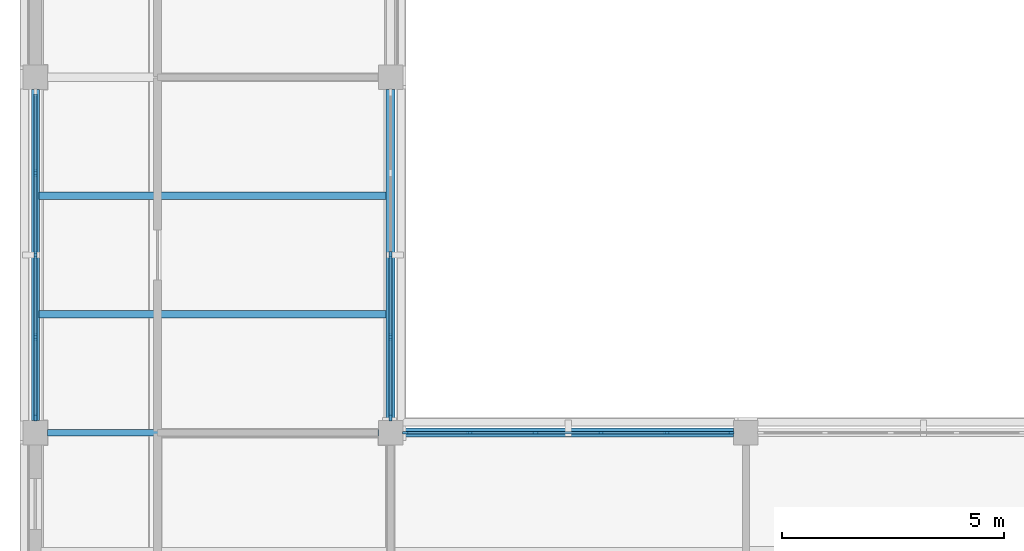
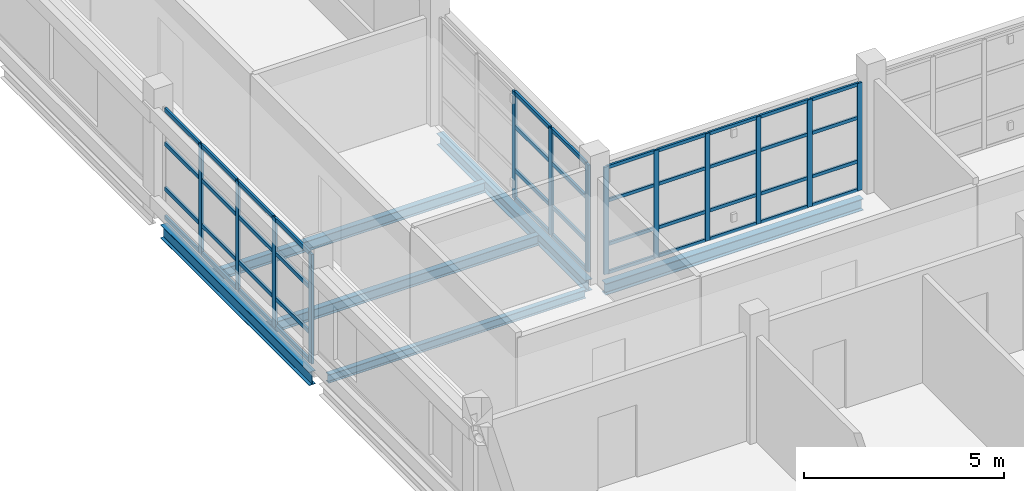
# One storey, part 7 of 92: 57 members, 6 beams, 3 elements without a shape of their own.
"""IFC4 building model written with IfcOpenShell, lengths in metres."""

from ifc_helpers import new_model, si_unit, derived_unit, direction, frame, origin, origin_2d, place, context, subcontext, project, spatial, rectangle, i_section, extrude, material, layer, layer_set, material_profile, profile_set, type_object, element, aggregate, save


model = new_model("IFC4")

# Units and contexts
model_context = context("Model", 3, precision=1e-05, world=origin(), true_north=direction((0.0, 1.0)))
body_context = subcontext(model_context, "Body", "Model", "MODEL_VIEW")
ifc_project = project(units=[si_unit("LENGTHUNIT", "METRE"), si_unit("AREAUNIT", "SQUARE_METRE"), si_unit("VOLUMEUNIT", "CUBIC_METRE"), si_unit("PLANEANGLEUNIT", "RADIAN"), si_unit("MASSUNIT", "GRAM", prefix="KILO"), derived_unit("THERMALTRANSMITTANCEUNIT", [(si_unit("MASSUNIT", "GRAM", prefix="KILO"), 1), (si_unit("TIMEUNIT", "SECOND"), -3), (si_unit("THERMODYNAMICTEMPERATUREUNIT", "KELVIN"), -1)])], contexts=[model_context])

# Site, building, storey
site_placement = place(None, origin())
site = spatial("IfcSite", under=ifc_project, at=site_placement, CompositionType="ELEMENT")
building_placement = place(site_placement, origin())
building = spatial("IfcBuilding", under=site, at=building_placement, Name="Veyamyaing Civic Hall", CompositionType="ELEMENT")
storey_placement = place(building_placement, frame((0.0, 0.0, 17.820068359375)))
storey = spatial("IfcBuildingStorey", under=building, at=storey_placement, Name="L04", CompositionType="ELEMENT", Elevation=17.820068359375)

# Beams
ifc_material_1 = material(Name="Steel ASTM A992", Category="steel")
ifc_material_profile_1 = material_profile(ifc_material_1, i_section(OverallWidth=0.179931640625, OverallDepth=0.4130859375, WebThickness=0.009765625, FlangeThickness=0.01611328125, FilletRadius=0.010009765625, at=origin_2d()), Name="W410X74")
ifc_profile_set_1 = profile_set([ifc_material_profile_1], Name="Steel ASTM A992")
beam_type_1 = type_object("IfcBeamType", Name="B-10", PredefinedType="SPANDREL", material=ifc_profile_set_1)
beam_1_placement = place(storey_placement, frame((0.0, 56.27490234375, -0.441650390625), z_axis=(0.0, 1.0, 0.0), x_axis=(-1.0, 0.0, 0.0)))
element("IfcBeam", 1, at=beam_1_placement, inside=storey, type_object=beam_type_1, Name="Girder B-10 L04 Grid 1 H-J", PredefinedType="SPANDREL", context=body_context, shape_type="SweptSolid", body=[
    extrude(i_section(OverallWidth=0.179931640625, OverallDepth=0.4130859375, WebThickness=0.009765625, FlangeThickness=0.01611328125, FilletRadius=0.010009765625, at=origin_2d()), origin(), (0.0, 0.0, 1.0), 7.4501953125),
])
ifc_material_profile_2 = material_profile(ifc_material_1, i_section(OverallWidth=0.2041015625, OverallDepth=0.35009765625, WebThickness=0.0078125, FlangeThickness=0.01513671875, FilletRadius=0.010009765625, at=origin_2d()), Name="W360X72")
ifc_profile_set_2 = profile_set([ifc_material_profile_2], Name="Steel ASTM A992")
beam_type_2 = type_object("IfcBeamType", Name="B-11", PredefinedType="SPANDREL", material=ifc_profile_set_2)
for number, where, z_axis, x_axis, name in (
    (2, (8.27490234375, 56.0, -0.41015625), (1.0, 0.0, 0.0), (0.0, 1.0, 0.0), "Girder B-11 L04 Grid H 2-3"),
    (3, (8.0, 56.27490234375, -0.41015625), (0.0, 1.0, 0.0), (-1.0, 0.0, 0.0), "Girder B-11 L04 Grid 2 H-J"),
):
    element("IfcBeam", number, at=place(storey_placement, frame(where, z_axis=z_axis, x_axis=x_axis)), inside=storey, type_object=beam_type_2, Name=name, PredefinedType="SPANDREL", context=body_context, shape_type="SweptSolid", body=[
        extrude(i_section(OverallWidth=0.2041015625, OverallDepth=0.35009765625, WebThickness=0.0078125, FlangeThickness=0.01513671875, FilletRadius=0.010009765625, at=origin_2d()), origin(), (0.0, 0.0, 1.0), 7.4501953125),
    ])
ifc_material_profile_3 = material_profile(ifc_material_1, i_section(OverallWidth=0.14599609375, OverallDepth=0.258056640625, WebThickness=0.006103515625, FlangeThickness=0.009033203125, FilletRadius=0.010009765625, at=origin_2d()), Name="W250X33")
ifc_profile_set_3 = profile_set([ifc_material_profile_3], Name="Steel ASTM A992")
beam_type_3 = type_object("IfcBeamType", Name="B-12", PredefinedType="BEAM", material=ifc_profile_set_3)
beam_2_placement = place(storey_placement, frame((0.27490234375, 56.0, -0.364013671875), z_axis=(1.0, 0.0, 0.0), x_axis=(0.0, 1.0, 0.0)))
element("IfcBeam", 4, at=beam_2_placement, inside=storey, type_object=beam_type_3, Name="Girder B-12 L04 Grid H 1-2", PredefinedType="BEAM", context=body_context, shape_type="SweptSolid", body=[
    extrude(i_section(OverallWidth=0.14599609375, OverallDepth=0.258056640625, WebThickness=0.006103515625, FlangeThickness=0.009033203125, FilletRadius=0.010009765625, at=origin_2d()), origin(), (0.0, 0.0, 1.0), 7.4501953125),
])

# Curtain wall, members
ifc_material_2 = material(Name="Anodised aluminium 6063-T6", Category="aluminium")
ifc_layer_1 = layer(ifc_material_2, 0.159912109375, Name="Anodised aluminium 6063-T6")
ifc_layer_set_1 = layer_set([ifc_layer_1], Name="Anodised aluminium 6063-T6")
curtain_wall_type_1 = type_object("IfcCurtainWallType", Name="CW-08", PredefinedType="NOTDEFINED", material=ifc_layer_set_1)
curtain_wall_1_placement = place(storey_placement, origin())
curtain_wall_1 = element("IfcCurtainWall", 5, at=curtain_wall_1_placement, inside=storey, type_object=curtain_wall_type_1, Name="Unitized curtain wall CW-08 L04 W 1.8", PredefinedType="NOTDEFINED")
ifc_material_profile_4 = material_profile(ifc_material_2, rectangle(XDim=0.06494140625, YDim=0.159912109375, at=origin_2d()), Name="ALU-MUL-65X160")
ifc_profile_set_4 = profile_set([ifc_material_profile_4], Name="Anodised aluminium 6063-T6")
member_type_1 = type_object("IfcMemberType", Name="CWM-01", PredefinedType="MULLION", material=ifc_profile_set_4)
member_1_placement = place(storey_placement, frame((0.0, 56.33740234375, 0.0), z_axis=(0.0, 0.0, 1.0), x_axis=(-1.0, 0.0, 0.0)))
member_1 = element("IfcMember", 6, at=member_1_placement, type_object=member_type_1, Name="CW-08 mullion 1", PredefinedType="MULLION", context=body_context, shape_type="SweptSolid", body=[
    extrude(rectangle(XDim=0.06494140625, YDim=0.159912109375, at=origin_2d()), origin(), (0.0, 0.0, 1.0), 3.35205078125),
])
member_2_placement = place(storey_placement, frame((0.0, 58.152587890625, 0.0), z_axis=(0.0, 0.0, 1.0), x_axis=(-1.0, 0.0, 0.0)))
member_2 = element("IfcMember", 7, at=member_2_placement, type_object=member_type_1, Name="CW-08 mullion 2", PredefinedType="MULLION", context=body_context, shape_type="SweptSolid", body=[
    extrude(rectangle(XDim=0.06494140625, YDim=0.159912109375, at=origin_2d()), origin(), (0.0, 0.0, 1.0), 3.35205078125),
])
member_3_placement = place(storey_placement, frame((0.0, 60.0, 0.0), z_axis=(0.0, 0.0, 1.0), x_axis=(-1.0, 0.0, 0.0)))
member_3 = element("IfcMember", 8, at=member_3_placement, type_object=member_type_1, Name="CW-08 mullion 3", PredefinedType="MULLION", context=body_context, shape_type="SweptSolid", body=[
    extrude(rectangle(XDim=0.06494140625, YDim=0.159912109375, at=origin_2d()), origin(), (0.0, 0.0, 1.0), 3.35205078125),
])
member_4_placement = place(storey_placement, frame((0.0, 61.847412109375, 0.0), z_axis=(0.0, 0.0, 1.0), x_axis=(-1.0, 0.0, 0.0)))
member_4 = element("IfcMember", 9, at=member_4_placement, type_object=member_type_1, Name="CW-08 mullion 4", PredefinedType="MULLION", context=body_context, shape_type="SweptSolid", body=[
    extrude(rectangle(XDim=0.06494140625, YDim=0.159912109375, at=origin_2d()), origin(), (0.0, 0.0, 1.0), 3.35205078125),
])

curtain_wall_2_placement = place(storey_placement, origin())
curtain_wall_2 = element("IfcCurtainWall", 10, at=curtain_wall_2_placement, inside=storey, type_object=curtain_wall_type_1, Name="Unitized curtain wall CW-08 L04 E 1.8", PredefinedType="NOTDEFINED")
member_5_placement = place(storey_placement, frame((8.0, 56.33740234375, 0.0), z_axis=(0.0, 0.0, 1.0), x_axis=(-1.0, 0.0, 0.0)))
member_5 = element("IfcMember", 11, at=member_5_placement, type_object=member_type_1, Name="CW-08 mullion 1", PredefinedType="MULLION", context=body_context, shape_type="SweptSolid", body=[
    extrude(rectangle(XDim=0.06494140625, YDim=0.159912109375, at=origin_2d()), origin(), (0.0, 0.0, 1.0), 3.284912109375),
])
member_6_placement = place(storey_placement, frame((8.0, 58.152587890625, 0.0), z_axis=(0.0, 0.0, 1.0), x_axis=(-1.0, 0.0, 0.0)))
member_6 = element("IfcMember", 12, at=member_6_placement, type_object=member_type_1, Name="CW-08 mullion 2", PredefinedType="MULLION", context=body_context, shape_type="SweptSolid", body=[
    extrude(rectangle(XDim=0.06494140625, YDim=0.159912109375, at=origin_2d()), origin(), (0.0, 0.0, 1.0), 3.284912109375),
])
member_7_placement = place(storey_placement, frame((8.0, 60.0, 0.0), z_axis=(0.0, 0.0, 1.0), x_axis=(-1.0, 0.0, 0.0)))
member_7 = element("IfcMember", 13, at=member_7_placement, type_object=member_type_1, Name="CW-08 mullion 3", PredefinedType="MULLION", context=body_context, shape_type="SweptSolid", body=[
    extrude(rectangle(XDim=0.06494140625, YDim=0.159912109375, at=origin_2d()), origin(), (0.0, 0.0, 1.0), 3.284912109375),
])

ifc_layer_2 = layer(ifc_material_2, 0.139892578125, Name="Anodised aluminium 6063-T6")
ifc_layer_set_2 = layer_set([ifc_layer_2], Name="Anodised aluminium 6063-T6")
curtain_wall_type_2 = type_object("IfcCurtainWallType", Name="CW-04", PredefinedType="NOTDEFINED", material=ifc_layer_set_2)
curtain_wall_3_placement = place(storey_placement, origin())
curtain_wall_3 = element("IfcCurtainWall", 14, at=curtain_wall_3_placement, inside=storey, type_object=curtain_wall_type_2, Name="Unitized curtain wall CW-04 L04 N 2.7", PredefinedType="NOTDEFINED")
ifc_material_profile_5 = material_profile(ifc_material_2, rectangle(XDim=0.06005859375, YDim=0.139892578125, at=origin_2d()), Name="ALU-MUL-60X140")
ifc_profile_set_5 = profile_set([ifc_material_profile_5], Name="Anodised aluminium 6063-T6")
member_type_2 = type_object("IfcMemberType", Name="CWM-03", PredefinedType="MULLION", material=ifc_profile_set_5)
member_8_placement = place(storey_placement, frame((8.3349609375, 56.0, 0.0), z_axis=(0.0, 0.0, 1.0), x_axis=(0.0, 1.0, 0.0)))
member_8 = element("IfcMember", 15, at=member_8_placement, type_object=member_type_2, Name="CW-04 mullion 1", PredefinedType="MULLION", context=body_context, shape_type="SweptSolid", body=[
    extrude(rectangle(XDim=0.06005859375, YDim=0.139892578125, at=origin_2d()), origin(), (0.0, 0.0, 1.0), 3.284912109375),
])
member_9_placement = place(storey_placement, frame((9.782958984375, 56.0, 0.0), z_axis=(0.0, 0.0, 1.0), x_axis=(0.0, 1.0, 0.0)))
member_9 = element("IfcMember", 16, at=member_9_placement, type_object=member_type_2, Name="CW-04 mullion 2", PredefinedType="MULLION", context=body_context, shape_type="SweptSolid", body=[
    extrude(rectangle(XDim=0.06005859375, YDim=0.139892578125, at=origin_2d()), origin(), (0.0, 0.0, 1.0), 3.284912109375),
])
member_10_placement = place(storey_placement, frame((11.260986328125, 56.0, 0.0), z_axis=(0.0, 0.0, 1.0), x_axis=(0.0, 1.0, 0.0)))
member_10 = element("IfcMember", 17, at=member_10_placement, type_object=member_type_2, Name="CW-04 mullion 3", PredefinedType="MULLION", context=body_context, shape_type="SweptSolid", body=[
    extrude(rectangle(XDim=0.06005859375, YDim=0.139892578125, at=origin_2d()), origin(), (0.0, 0.0, 1.0), 3.284912109375),
])
member_11_placement = place(storey_placement, frame((12.739013671875, 56.0, 0.0), z_axis=(0.0, 0.0, 1.0), x_axis=(0.0, 1.0, 0.0)))
member_11 = element("IfcMember", 18, at=member_11_placement, type_object=member_type_2, Name="CW-04 mullion 4", PredefinedType="MULLION", context=body_context, shape_type="SweptSolid", body=[
    extrude(rectangle(XDim=0.06005859375, YDim=0.139892578125, at=origin_2d()), origin(), (0.0, 0.0, 1.0), 3.284912109375),
])
member_12_placement = place(storey_placement, frame((14.217041015625, 56.0, 0.0), z_axis=(0.0, 0.0, 1.0), x_axis=(0.0, 1.0, 0.0)))
member_12 = element("IfcMember", 19, at=member_12_placement, type_object=member_type_2, Name="CW-04 mullion 5", PredefinedType="MULLION", context=body_context, shape_type="SweptSolid", body=[
    extrude(rectangle(XDim=0.06005859375, YDim=0.139892578125, at=origin_2d()), origin(), (0.0, 0.0, 1.0), 3.284912109375),
])
member_13_placement = place(storey_placement, frame((15.6650390625, 56.0, 0.0), z_axis=(0.0, 0.0, 1.0), x_axis=(0.0, 1.0, 0.0)))
member_13 = element("IfcMember", 20, at=member_13_placement, type_object=member_type_2, Name="CW-04 mullion 6", PredefinedType="MULLION", context=body_context, shape_type="SweptSolid", body=[
    extrude(rectangle(XDim=0.06005859375, YDim=0.139892578125, at=origin_2d()), origin(), (0.0, 0.0, 1.0), 3.284912109375),
])

# Member
ifc_material_profile_6 = material_profile(ifc_material_2, rectangle(XDim=0.06494140625, YDim=0.1201171875, at=origin_2d()), Name="ALU-TRN-65X120")
ifc_profile_set_6 = profile_set([ifc_material_profile_6], Name="Anodised aluminium 6063-T6")
member_type_3 = type_object("IfcMemberType", Name="CWT-01", PredefinedType="USERDEFINED", material=ifc_profile_set_6)
member_14_placement = place(storey_placement, frame((0.0, 56.3701171875, 0.032470703125), z_axis=(0.0, 1.0, 0.0), x_axis=(-1.0, 0.0, 0.0)))
member_14 = element("IfcMember", 21, at=member_14_placement, type_object=member_type_3, Name="CW-08 transom 1.1", ObjectType="TRANSOM", PredefinedType="USERDEFINED", context=body_context, shape_type="SweptSolid", body=[
    extrude(rectangle(XDim=0.06494140625, YDim=0.1201171875, at=origin_2d()), origin(), (0.0, 0.0, 1.0), 1.75),
])

member_15_placement = place(storey_placement, frame((0.0, 56.3701171875, 0.89990234375), z_axis=(0.0, 1.0, 0.0), x_axis=(-1.0, 0.0, 0.0)))
member_15 = element("IfcMember", 22, at=member_15_placement, type_object=member_type_3, Name="CW-08 transom 1.2", ObjectType="TRANSOM", PredefinedType="USERDEFINED", context=body_context, shape_type="SweptSolid", body=[
    extrude(rectangle(XDim=0.06494140625, YDim=0.1201171875, at=origin_2d()), origin(), (0.0, 0.0, 1.0), 1.75),
])

member_16_placement = place(storey_placement, frame((0.0, 56.3701171875, 2.279296875), z_axis=(0.0, 1.0, 0.0), x_axis=(-1.0, 0.0, 0.0)))
member_16 = element("IfcMember", 23, at=member_16_placement, type_object=member_type_3, Name="CW-08 transom 1.3", ObjectType="TRANSOM", PredefinedType="USERDEFINED", context=body_context, shape_type="SweptSolid", body=[
    extrude(rectangle(XDim=0.06494140625, YDim=0.1201171875, at=origin_2d()), origin(), (0.0, 0.0, 1.0), 1.75),
])

member_17_placement = place(storey_placement, frame((0.0, 56.3701171875, 3.3193359375), z_axis=(0.0, 1.0, 0.0), x_axis=(-1.0, 0.0, 0.0)))
member_17 = element("IfcMember", 24, at=member_17_placement, type_object=member_type_3, Name="CW-08 transom 1.4", ObjectType="TRANSOM", PredefinedType="USERDEFINED", context=body_context, shape_type="SweptSolid", body=[
    extrude(rectangle(XDim=0.06494140625, YDim=0.1201171875, at=origin_2d()), origin(), (0.0, 0.0, 1.0), 1.75),
])

member_18_placement = place(storey_placement, frame((0.0, 58.18505859375, 0.032470703125), z_axis=(0.0, 1.0, 0.0), x_axis=(-1.0, 0.0, 0.0)))
member_18 = element("IfcMember", 25, at=member_18_placement, type_object=member_type_3, Name="CW-08 transom 2.1", ObjectType="TRANSOM", PredefinedType="USERDEFINED", context=body_context, shape_type="SweptSolid", body=[
    extrude(rectangle(XDim=0.06494140625, YDim=0.1201171875, at=origin_2d()), origin(), (0.0, 0.0, 1.0), 1.782470703125),
])

member_19_placement = place(storey_placement, frame((0.0, 58.18505859375, 0.89990234375), z_axis=(0.0, 1.0, 0.0), x_axis=(-1.0, 0.0, 0.0)))
member_19 = element("IfcMember", 26, at=member_19_placement, type_object=member_type_3, Name="CW-08 transom 2.2", ObjectType="TRANSOM", PredefinedType="USERDEFINED", context=body_context, shape_type="SweptSolid", body=[
    extrude(rectangle(XDim=0.06494140625, YDim=0.1201171875, at=origin_2d()), origin(), (0.0, 0.0, 1.0), 1.782470703125),
])

member_20_placement = place(storey_placement, frame((0.0, 58.18505859375, 2.279296875), z_axis=(0.0, 1.0, 0.0), x_axis=(-1.0, 0.0, 0.0)))
member_20 = element("IfcMember", 27, at=member_20_placement, type_object=member_type_3, Name="CW-08 transom 2.3", ObjectType="TRANSOM", PredefinedType="USERDEFINED", context=body_context, shape_type="SweptSolid", body=[
    extrude(rectangle(XDim=0.06494140625, YDim=0.1201171875, at=origin_2d()), origin(), (0.0, 0.0, 1.0), 1.782470703125),
])

member_21_placement = place(storey_placement, frame((0.0, 58.18505859375, 3.3193359375), z_axis=(0.0, 1.0, 0.0), x_axis=(-1.0, 0.0, 0.0)))
member_21 = element("IfcMember", 28, at=member_21_placement, type_object=member_type_3, Name="CW-08 transom 2.4", ObjectType="TRANSOM", PredefinedType="USERDEFINED", context=body_context, shape_type="SweptSolid", body=[
    extrude(rectangle(XDim=0.06494140625, YDim=0.1201171875, at=origin_2d()), origin(), (0.0, 0.0, 1.0), 1.782470703125),
])

member_22_placement = place(storey_placement, frame((0.0, 60.032470703125, 0.032470703125), z_axis=(0.0, 1.0, 0.0), x_axis=(-1.0, 0.0, 0.0)))
member_22 = element("IfcMember", 29, at=member_22_placement, type_object=member_type_3, Name="CW-08 transom 3.1", ObjectType="TRANSOM", PredefinedType="USERDEFINED", context=body_context, shape_type="SweptSolid", body=[
    extrude(rectangle(XDim=0.06494140625, YDim=0.1201171875, at=origin_2d()), origin(), (0.0, 0.0, 1.0), 1.782470703125),
])

member_23_placement = place(storey_placement, frame((0.0, 60.032470703125, 0.89990234375), z_axis=(0.0, 1.0, 0.0), x_axis=(-1.0, 0.0, 0.0)))
member_23 = element("IfcMember", 30, at=member_23_placement, type_object=member_type_3, Name="CW-08 transom 3.2", ObjectType="TRANSOM", PredefinedType="USERDEFINED", context=body_context, shape_type="SweptSolid", body=[
    extrude(rectangle(XDim=0.06494140625, YDim=0.1201171875, at=origin_2d()), origin(), (0.0, 0.0, 1.0), 1.782470703125),
])

member_24_placement = place(storey_placement, frame((0.0, 60.032470703125, 2.279296875), z_axis=(0.0, 1.0, 0.0), x_axis=(-1.0, 0.0, 0.0)))
member_24 = element("IfcMember", 31, at=member_24_placement, type_object=member_type_3, Name="CW-08 transom 3.3", ObjectType="TRANSOM", PredefinedType="USERDEFINED", context=body_context, shape_type="SweptSolid", body=[
    extrude(rectangle(XDim=0.06494140625, YDim=0.1201171875, at=origin_2d()), origin(), (0.0, 0.0, 1.0), 1.782470703125),
])

member_25_placement = place(storey_placement, frame((0.0, 60.032470703125, 3.3193359375), z_axis=(0.0, 1.0, 0.0), x_axis=(-1.0, 0.0, 0.0)))
member_25 = element("IfcMember", 32, at=member_25_placement, type_object=member_type_3, Name="CW-08 transom 3.4", ObjectType="TRANSOM", PredefinedType="USERDEFINED", context=body_context, shape_type="SweptSolid", body=[
    extrude(rectangle(XDim=0.06494140625, YDim=0.1201171875, at=origin_2d()), origin(), (0.0, 0.0, 1.0), 1.782470703125),
])

member_26_placement = place(storey_placement, frame((0.0, 61.8798828125, 0.032470703125), z_axis=(0.0, 1.0, 0.0), x_axis=(-1.0, 0.0, 0.0)))
member_26 = element("IfcMember", 33, at=member_26_placement, type_object=member_type_3, Name="CW-08 transom 4.1", ObjectType="TRANSOM", PredefinedType="USERDEFINED", context=body_context, shape_type="SweptSolid", body=[
    extrude(rectangle(XDim=0.06494140625, YDim=0.1201171875, at=origin_2d()), origin(), (0.0, 0.0, 1.0), 1.75),
])

member_27_placement = place(storey_placement, frame((0.0, 61.8798828125, 0.89990234375), z_axis=(0.0, 1.0, 0.0), x_axis=(-1.0, 0.0, 0.0)))
member_27 = element("IfcMember", 34, at=member_27_placement, type_object=member_type_3, Name="CW-08 transom 4.2", ObjectType="TRANSOM", PredefinedType="USERDEFINED", context=body_context, shape_type="SweptSolid", body=[
    extrude(rectangle(XDim=0.06494140625, YDim=0.1201171875, at=origin_2d()), origin(), (0.0, 0.0, 1.0), 1.75),
])

member_28_placement = place(storey_placement, frame((0.0, 61.8798828125, 2.279296875), z_axis=(0.0, 1.0, 0.0), x_axis=(-1.0, 0.0, 0.0)))
member_28 = element("IfcMember", 35, at=member_28_placement, type_object=member_type_3, Name="CW-08 transom 4.3", ObjectType="TRANSOM", PredefinedType="USERDEFINED", context=body_context, shape_type="SweptSolid", body=[
    extrude(rectangle(XDim=0.06494140625, YDim=0.1201171875, at=origin_2d()), origin(), (0.0, 0.0, 1.0), 1.75),
])

member_29_placement = place(storey_placement, frame((0.0, 61.8798828125, 3.3193359375), z_axis=(0.0, 1.0, 0.0), x_axis=(-1.0, 0.0, 0.0)))
member_29 = element("IfcMember", 36, at=member_29_placement, type_object=member_type_3, Name="CW-08 transom 4.4", ObjectType="TRANSOM", PredefinedType="USERDEFINED", context=body_context, shape_type="SweptSolid", body=[
    extrude(rectangle(XDim=0.06494140625, YDim=0.1201171875, at=origin_2d()), origin(), (0.0, 0.0, 1.0), 1.75),
])

aggregate(curtain_wall_1, [member_1, member_2, member_3, member_4, member_14, member_15, member_16, member_17, member_18, member_19, member_20, member_21, member_22, member_23, member_24, member_25, member_26, member_27, member_28, member_29])

member_30_placement = place(storey_placement, frame((8.0, 56.3701171875, 0.032470703125), z_axis=(0.0, 1.0, 0.0), x_axis=(-1.0, 0.0, 0.0)))
member_30 = element("IfcMember", 37, at=member_30_placement, type_object=member_type_3, Name="CW-08 transom 1.1", ObjectType="TRANSOM", PredefinedType="USERDEFINED", context=body_context, shape_type="SweptSolid", body=[
    extrude(rectangle(XDim=0.06494140625, YDim=0.1201171875, at=origin_2d()), origin(), (0.0, 0.0, 1.0), 1.75),
])

member_31_placement = place(storey_placement, frame((8.0, 56.3701171875, 0.89990234375), z_axis=(0.0, 1.0, 0.0), x_axis=(-1.0, 0.0, 0.0)))
member_31 = element("IfcMember", 38, at=member_31_placement, type_object=member_type_3, Name="CW-08 transom 1.2", ObjectType="TRANSOM", PredefinedType="USERDEFINED", context=body_context, shape_type="SweptSolid", body=[
    extrude(rectangle(XDim=0.06494140625, YDim=0.1201171875, at=origin_2d()), origin(), (0.0, 0.0, 1.0), 1.75),
])

member_32_placement = place(storey_placement, frame((8.0, 56.3701171875, 2.233642578125), z_axis=(0.0, 1.0, 0.0), x_axis=(-1.0, 0.0, 0.0)))
member_32 = element("IfcMember", 39, at=member_32_placement, type_object=member_type_3, Name="CW-08 transom 1.3", ObjectType="TRANSOM", PredefinedType="USERDEFINED", context=body_context, shape_type="SweptSolid", body=[
    extrude(rectangle(XDim=0.06494140625, YDim=0.1201171875, at=origin_2d()), origin(), (0.0, 0.0, 1.0), 1.75),
])

member_33_placement = place(storey_placement, frame((8.0, 56.3701171875, 3.25244140625), z_axis=(0.0, 1.0, 0.0), x_axis=(-1.0, 0.0, 0.0)))
member_33 = element("IfcMember", 40, at=member_33_placement, type_object=member_type_3, Name="CW-08 transom 1.4", ObjectType="TRANSOM", PredefinedType="USERDEFINED", context=body_context, shape_type="SweptSolid", body=[
    extrude(rectangle(XDim=0.06494140625, YDim=0.1201171875, at=origin_2d()), origin(), (0.0, 0.0, 1.0), 1.75),
])

member_34_placement = place(storey_placement, frame((8.0, 58.18505859375, 0.032470703125), z_axis=(0.0, 1.0, 0.0), x_axis=(-1.0, 0.0, 0.0)))
member_34 = element("IfcMember", 41, at=member_34_placement, type_object=member_type_3, Name="CW-08 transom 2.1", ObjectType="TRANSOM", PredefinedType="USERDEFINED", context=body_context, shape_type="SweptSolid", body=[
    extrude(rectangle(XDim=0.06494140625, YDim=0.1201171875, at=origin_2d()), origin(), (0.0, 0.0, 1.0), 1.782470703125),
])

member_35_placement = place(storey_placement, frame((8.0, 58.18505859375, 0.89990234375), z_axis=(0.0, 1.0, 0.0), x_axis=(-1.0, 0.0, 0.0)))
member_35 = element("IfcMember", 42, at=member_35_placement, type_object=member_type_3, Name="CW-08 transom 2.2", ObjectType="TRANSOM", PredefinedType="USERDEFINED", context=body_context, shape_type="SweptSolid", body=[
    extrude(rectangle(XDim=0.06494140625, YDim=0.1201171875, at=origin_2d()), origin(), (0.0, 0.0, 1.0), 1.782470703125),
])

member_36_placement = place(storey_placement, frame((8.0, 58.18505859375, 2.233642578125), z_axis=(0.0, 1.0, 0.0), x_axis=(-1.0, 0.0, 0.0)))
member_36 = element("IfcMember", 43, at=member_36_placement, type_object=member_type_3, Name="CW-08 transom 2.3", ObjectType="TRANSOM", PredefinedType="USERDEFINED", context=body_context, shape_type="SweptSolid", body=[
    extrude(rectangle(XDim=0.06494140625, YDim=0.1201171875, at=origin_2d()), origin(), (0.0, 0.0, 1.0), 1.782470703125),
])

member_37_placement = place(storey_placement, frame((8.0, 58.18505859375, 3.25244140625), z_axis=(0.0, 1.0, 0.0), x_axis=(-1.0, 0.0, 0.0)))
member_37 = element("IfcMember", 44, at=member_37_placement, type_object=member_type_3, Name="CW-08 transom 2.4", ObjectType="TRANSOM", PredefinedType="USERDEFINED", context=body_context, shape_type="SweptSolid", body=[
    extrude(rectangle(XDim=0.06494140625, YDim=0.1201171875, at=origin_2d()), origin(), (0.0, 0.0, 1.0), 1.782470703125),
])

aggregate(curtain_wall_2, [member_5, member_6, member_7, member_30, member_31, member_32, member_33, member_34, member_35, member_36, member_37])

ifc_material_profile_7 = material_profile(ifc_material_2, rectangle(XDim=0.06005859375, YDim=0.10009765625, at=origin_2d()), Name="ALU-TRN-60X100")
ifc_profile_set_7 = profile_set([ifc_material_profile_7], Name="Anodised aluminium 6063-T6")
member_type_4 = type_object("IfcMemberType", Name="CWT-03", PredefinedType="USERDEFINED", material=ifc_profile_set_7)
member_38_placement = place(storey_placement, frame((8.364990234375, 56.0, 0.030029296875), z_axis=(1.0, 0.0, 0.0), x_axis=(0.0, 1.0, 0.0)))
member_38 = element("IfcMember", 45, at=member_38_placement, type_object=member_type_4, Name="CW-04 transom 1.1", ObjectType="TRANSOM", PredefinedType="USERDEFINED", context=body_context, shape_type="SweptSolid", body=[
    extrude(rectangle(XDim=0.06005859375, YDim=0.10009765625, at=origin_2d()), origin(), (0.0, 0.0, 1.0), 1.387939453125),
])

member_39_placement = place(storey_placement, frame((8.364990234375, 56.0, 0.89990234375), z_axis=(1.0, 0.0, 0.0), x_axis=(0.0, 1.0, 0.0)))
member_39 = element("IfcMember", 46, at=member_39_placement, type_object=member_type_4, Name="CW-04 transom 1.2", ObjectType="TRANSOM", PredefinedType="USERDEFINED", context=body_context, shape_type="SweptSolid", body=[
    extrude(rectangle(XDim=0.06005859375, YDim=0.10009765625, at=origin_2d()), origin(), (0.0, 0.0, 1.0), 1.387939453125),
])

member_40_placement = place(storey_placement, frame((8.364990234375, 56.0, 2.233642578125), z_axis=(1.0, 0.0, 0.0), x_axis=(0.0, 1.0, 0.0)))
member_40 = element("IfcMember", 47, at=member_40_placement, type_object=member_type_4, Name="CW-04 transom 1.3", ObjectType="TRANSOM", PredefinedType="USERDEFINED", context=body_context, shape_type="SweptSolid", body=[
    extrude(rectangle(XDim=0.06005859375, YDim=0.10009765625, at=origin_2d()), origin(), (0.0, 0.0, 1.0), 1.387939453125),
])

member_41_placement = place(storey_placement, frame((8.364990234375, 56.0, 3.2548828125), z_axis=(1.0, 0.0, 0.0), x_axis=(0.0, 1.0, 0.0)))
member_41 = element("IfcMember", 48, at=member_41_placement, type_object=member_type_4, Name="CW-04 transom 1.4", ObjectType="TRANSOM", PredefinedType="USERDEFINED", context=body_context, shape_type="SweptSolid", body=[
    extrude(rectangle(XDim=0.06005859375, YDim=0.10009765625, at=origin_2d()), origin(), (0.0, 0.0, 1.0), 1.387939453125),
])

member_42_placement = place(storey_placement, frame((9.81298828125, 56.0, 0.030029296875), z_axis=(1.0, 0.0, 0.0), x_axis=(0.0, 1.0, 0.0)))
member_42 = element("IfcMember", 49, at=member_42_placement, type_object=member_type_4, Name="CW-04 transom 2.1", ObjectType="TRANSOM", PredefinedType="USERDEFINED", context=body_context, shape_type="SweptSolid", body=[
    extrude(rectangle(XDim=0.06005859375, YDim=0.10009765625, at=origin_2d()), origin(), (0.0, 0.0, 1.0), 1.41796875),
])

member_43_placement = place(storey_placement, frame((9.81298828125, 56.0, 0.89990234375), z_axis=(1.0, 0.0, 0.0), x_axis=(0.0, 1.0, 0.0)))
member_43 = element("IfcMember", 50, at=member_43_placement, type_object=member_type_4, Name="CW-04 transom 2.2", ObjectType="TRANSOM", PredefinedType="USERDEFINED", context=body_context, shape_type="SweptSolid", body=[
    extrude(rectangle(XDim=0.06005859375, YDim=0.10009765625, at=origin_2d()), origin(), (0.0, 0.0, 1.0), 1.41796875),
])

member_44_placement = place(storey_placement, frame((9.81298828125, 56.0, 2.233642578125), z_axis=(1.0, 0.0, 0.0), x_axis=(0.0, 1.0, 0.0)))
member_44 = element("IfcMember", 51, at=member_44_placement, type_object=member_type_4, Name="CW-04 transom 2.3", ObjectType="TRANSOM", PredefinedType="USERDEFINED", context=body_context, shape_type="SweptSolid", body=[
    extrude(rectangle(XDim=0.06005859375, YDim=0.10009765625, at=origin_2d()), origin(), (0.0, 0.0, 1.0), 1.41796875),
])

member_45_placement = place(storey_placement, frame((9.81298828125, 56.0, 3.2548828125), z_axis=(1.0, 0.0, 0.0), x_axis=(0.0, 1.0, 0.0)))
member_45 = element("IfcMember", 52, at=member_45_placement, type_object=member_type_4, Name="CW-04 transom 2.4", ObjectType="TRANSOM", PredefinedType="USERDEFINED", context=body_context, shape_type="SweptSolid", body=[
    extrude(rectangle(XDim=0.06005859375, YDim=0.10009765625, at=origin_2d()), origin(), (0.0, 0.0, 1.0), 1.41796875),
])

member_46_placement = place(storey_placement, frame((11.291015625, 56.0, 0.030029296875), z_axis=(1.0, 0.0, 0.0), x_axis=(0.0, 1.0, 0.0)))
member_46 = element("IfcMember", 53, at=member_46_placement, type_object=member_type_4, Name="CW-04 transom 3.1", ObjectType="TRANSOM", PredefinedType="USERDEFINED", context=body_context, shape_type="SweptSolid", body=[
    extrude(rectangle(XDim=0.06005859375, YDim=0.10009765625, at=origin_2d()), origin(), (0.0, 0.0, 1.0), 1.41796875),
])

member_47_placement = place(storey_placement, frame((11.291015625, 56.0, 0.89990234375), z_axis=(1.0, 0.0, 0.0), x_axis=(0.0, 1.0, 0.0)))
member_47 = element("IfcMember", 54, at=member_47_placement, type_object=member_type_4, Name="CW-04 transom 3.2", ObjectType="TRANSOM", PredefinedType="USERDEFINED", context=body_context, shape_type="SweptSolid", body=[
    extrude(rectangle(XDim=0.06005859375, YDim=0.10009765625, at=origin_2d()), origin(), (0.0, 0.0, 1.0), 1.41796875),
])

member_48_placement = place(storey_placement, frame((11.291015625, 56.0, 2.233642578125), z_axis=(1.0, 0.0, 0.0), x_axis=(0.0, 1.0, 0.0)))
member_48 = element("IfcMember", 55, at=member_48_placement, type_object=member_type_4, Name="CW-04 transom 3.3", ObjectType="TRANSOM", PredefinedType="USERDEFINED", context=body_context, shape_type="SweptSolid", body=[
    extrude(rectangle(XDim=0.06005859375, YDim=0.10009765625, at=origin_2d()), origin(), (0.0, 0.0, 1.0), 1.41796875),
])

member_49_placement = place(storey_placement, frame((11.291015625, 56.0, 3.2548828125), z_axis=(1.0, 0.0, 0.0), x_axis=(0.0, 1.0, 0.0)))
member_49 = element("IfcMember", 56, at=member_49_placement, type_object=member_type_4, Name="CW-04 transom 3.4", ObjectType="TRANSOM", PredefinedType="USERDEFINED", context=body_context, shape_type="SweptSolid", body=[
    extrude(rectangle(XDim=0.06005859375, YDim=0.10009765625, at=origin_2d()), origin(), (0.0, 0.0, 1.0), 1.41796875),
])

member_50_placement = place(storey_placement, frame((12.76904296875, 56.0, 0.030029296875), z_axis=(1.0, 0.0, 0.0), x_axis=(0.0, 1.0, 0.0)))
member_50 = element("IfcMember", 57, at=member_50_placement, type_object=member_type_4, Name="CW-04 transom 4.1", ObjectType="TRANSOM", PredefinedType="USERDEFINED", context=body_context, shape_type="SweptSolid", body=[
    extrude(rectangle(XDim=0.06005859375, YDim=0.10009765625, at=origin_2d()), origin(), (0.0, 0.0, 1.0), 1.41796875),
])

member_51_placement = place(storey_placement, frame((12.76904296875, 56.0, 0.89990234375), z_axis=(1.0, 0.0, 0.0), x_axis=(0.0, 1.0, 0.0)))
member_51 = element("IfcMember", 58, at=member_51_placement, type_object=member_type_4, Name="CW-04 transom 4.2", ObjectType="TRANSOM", PredefinedType="USERDEFINED", context=body_context, shape_type="SweptSolid", body=[
    extrude(rectangle(XDim=0.06005859375, YDim=0.10009765625, at=origin_2d()), origin(), (0.0, 0.0, 1.0), 1.41796875),
])

member_52_placement = place(storey_placement, frame((12.76904296875, 56.0, 2.233642578125), z_axis=(1.0, 0.0, 0.0), x_axis=(0.0, 1.0, 0.0)))
member_52 = element("IfcMember", 59, at=member_52_placement, type_object=member_type_4, Name="CW-04 transom 4.3", ObjectType="TRANSOM", PredefinedType="USERDEFINED", context=body_context, shape_type="SweptSolid", body=[
    extrude(rectangle(XDim=0.06005859375, YDim=0.10009765625, at=origin_2d()), origin(), (0.0, 0.0, 1.0), 1.41796875),
])

member_53_placement = place(storey_placement, frame((12.76904296875, 56.0, 3.2548828125), z_axis=(1.0, 0.0, 0.0), x_axis=(0.0, 1.0, 0.0)))
member_53 = element("IfcMember", 60, at=member_53_placement, type_object=member_type_4, Name="CW-04 transom 4.4", ObjectType="TRANSOM", PredefinedType="USERDEFINED", context=body_context, shape_type="SweptSolid", body=[
    extrude(rectangle(XDim=0.06005859375, YDim=0.10009765625, at=origin_2d()), origin(), (0.0, 0.0, 1.0), 1.41796875),
])

member_54_placement = place(storey_placement, frame((14.2470703125, 56.0, 0.030029296875), z_axis=(1.0, 0.0, 0.0), x_axis=(0.0, 1.0, 0.0)))
member_54 = element("IfcMember", 61, at=member_54_placement, type_object=member_type_4, Name="CW-04 transom 5.1", ObjectType="TRANSOM", PredefinedType="USERDEFINED", context=body_context, shape_type="SweptSolid", body=[
    extrude(rectangle(XDim=0.06005859375, YDim=0.10009765625, at=origin_2d()), origin(), (0.0, 0.0, 1.0), 1.387939453125),
])

member_55_placement = place(storey_placement, frame((14.2470703125, 56.0, 0.89990234375), z_axis=(1.0, 0.0, 0.0), x_axis=(0.0, 1.0, 0.0)))
member_55 = element("IfcMember", 62, at=member_55_placement, type_object=member_type_4, Name="CW-04 transom 5.2", ObjectType="TRANSOM", PredefinedType="USERDEFINED", context=body_context, shape_type="SweptSolid", body=[
    extrude(rectangle(XDim=0.06005859375, YDim=0.10009765625, at=origin_2d()), origin(), (0.0, 0.0, 1.0), 1.387939453125),
])

member_56_placement = place(storey_placement, frame((14.2470703125, 56.0, 2.233642578125), z_axis=(1.0, 0.0, 0.0), x_axis=(0.0, 1.0, 0.0)))
member_56 = element("IfcMember", 63, at=member_56_placement, type_object=member_type_4, Name="CW-04 transom 5.3", ObjectType="TRANSOM", PredefinedType="USERDEFINED", context=body_context, shape_type="SweptSolid", body=[
    extrude(rectangle(XDim=0.06005859375, YDim=0.10009765625, at=origin_2d()), origin(), (0.0, 0.0, 1.0), 1.387939453125),
])

member_57_placement = place(storey_placement, frame((14.2470703125, 56.0, 3.2548828125), z_axis=(1.0, 0.0, 0.0), x_axis=(0.0, 1.0, 0.0)))
member_57 = element("IfcMember", 64, at=member_57_placement, type_object=member_type_4, Name="CW-04 transom 5.4", ObjectType="TRANSOM", PredefinedType="USERDEFINED", context=body_context, shape_type="SweptSolid", body=[
    extrude(rectangle(XDim=0.06005859375, YDim=0.10009765625, at=origin_2d()), origin(), (0.0, 0.0, 1.0), 1.387939453125),
])

aggregate(curtain_wall_3, [member_8, member_9, member_10, member_11, member_12, member_13, member_38, member_39, member_40, member_41, member_42, member_43, member_44, member_45, member_46, member_47, member_48, member_49, member_50, member_51, member_52, member_53, member_54, member_55, member_56, member_57])

# Beams
ifc_material_profile_8 = material_profile(ifc_material_1, i_section(OverallWidth=0.1650390625, OverallDepth=0.31005859375, WebThickness=0.005859375, FlangeThickness=0.009765625, FilletRadius=0.010009765625, at=origin_2d()), Name="W310X39")
ifc_profile_set_8 = profile_set([ifc_material_profile_8], Name="Steel ASTM A992")
beam_type_4 = type_object("IfcBeamType", Name="J-05", PredefinedType="JOIST", material=ifc_profile_set_8)
for number, where, z_axis, x_axis, name in (
    (65, (0.087890625, 58.666748046875, -0.39013671875), (1.0, 0.0, 0.0), (0.0, 1.0, 0.0), "Composite floor joist J-05 L04 1.8.1"),
    (66, (0.087890625, 61.333251953125, -0.39013671875), (1.0, 0.0, 0.0), (0.0, 1.0, 0.0), "Composite floor joist J-05 L04 1.8.2"),
):
    element("IfcBeam", number, at=place(storey_placement, frame(where, z_axis=z_axis, x_axis=x_axis)), inside=storey, type_object=beam_type_4, Name=name, PredefinedType="JOIST", context=body_context, shape_type="SweptSolid", body=[
        extrude(i_section(OverallWidth=0.1650390625, OverallDepth=0.31005859375, WebThickness=0.005859375, FlangeThickness=0.009765625, FilletRadius=0.010009765625, at=origin_2d()), origin(), (0.0, 0.0, 1.0), 7.81201171875),
    ])

save(model, "model.ifc")
